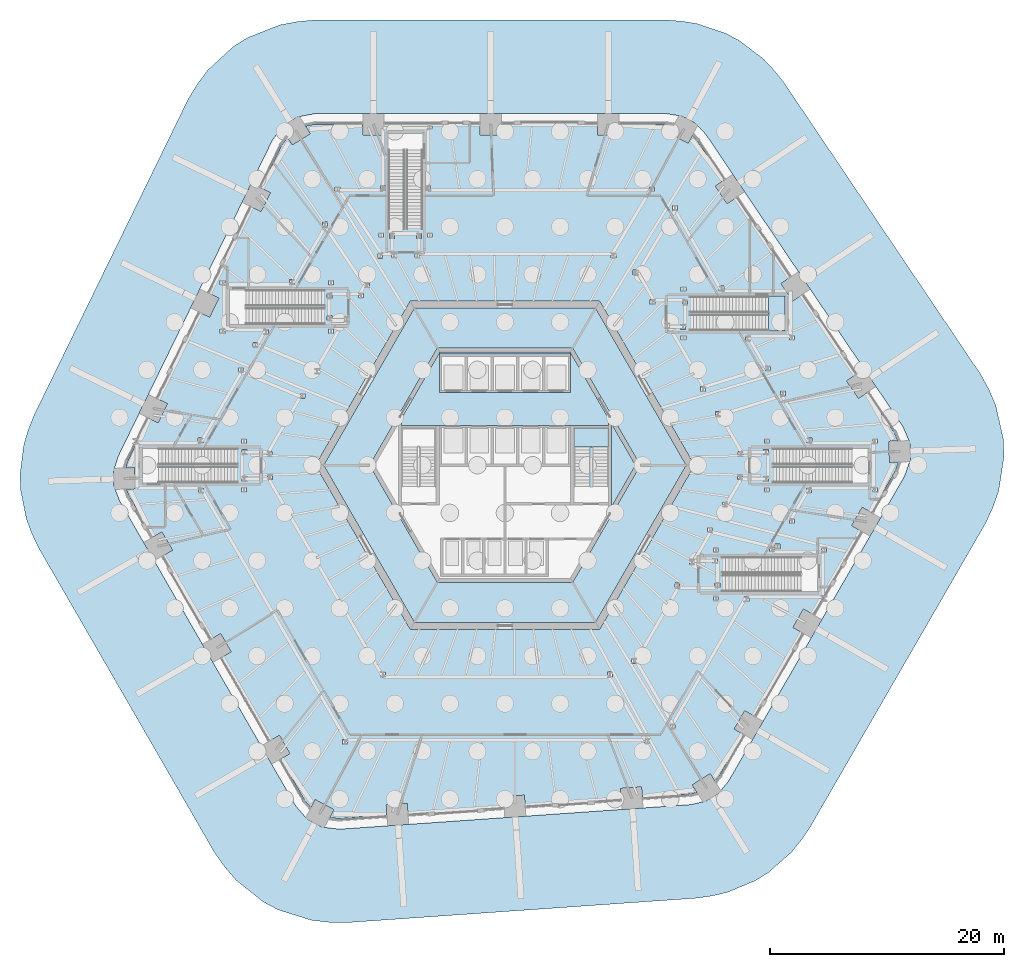
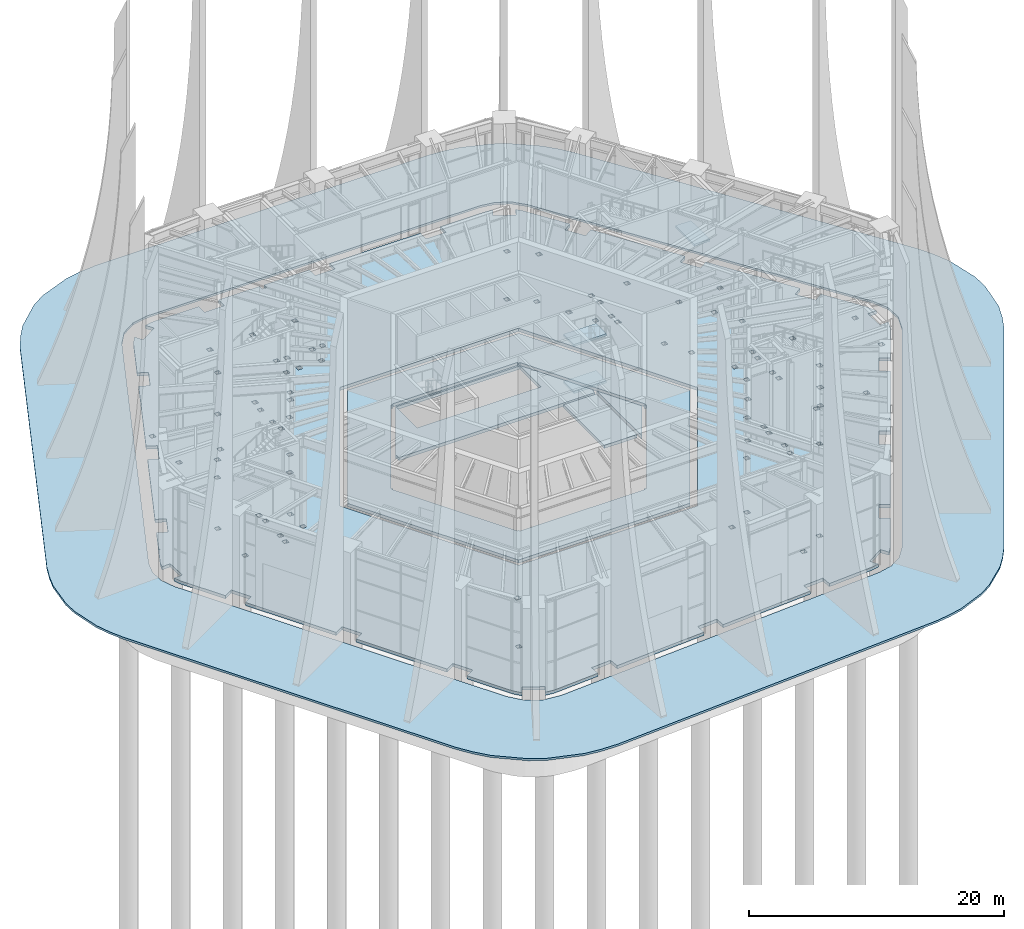
# One storey, part 22 of 43: 9 slabs, 2 elements without a shape of their own.
"""IFC4 building model written with IfcOpenShell, lengths in metres."""

from ifc_helpers import new_model, si_unit, direction, frame, origin, place, context, subcontext, project, spatial, polyline, outline, extrude, material, layer, layer_set, type_object, element, aggregate, save


model = new_model("IFC4")

# Units and contexts
model_context = context("Model", 3, precision=1e-05, world=origin(), true_north=direction((0.0, 1.0)))
body_context = subcontext(model_context, "Body", "Model", "MODEL_VIEW")
ifc_project = project(units=[si_unit("LENGTHUNIT", "METRE"), si_unit("AREAUNIT", "SQUARE_METRE"), si_unit("VOLUMEUNIT", "CUBIC_METRE"), si_unit("PLANEANGLEUNIT", "RADIAN"), si_unit("MASSUNIT", "GRAM", prefix="KILO")], contexts=[model_context])

# Site, building, storey
site_placement = place(None, origin())
site = spatial("IfcSite", under=ifc_project, at=site_placement, CompositionType="ELEMENT")
building_placement = place(site_placement, origin())
building = spatial("IfcBuilding", under=site, at=building_placement, Name="Tarnside Tower", CompositionType="ELEMENT")
storey_placement = place(building_placement, origin())
storey = spatial("IfcBuildingStorey", under=building, at=storey_placement, Name="L00", CompositionType="ELEMENT", Elevation=0.0)

# Slabs
ifc_material_1 = material(Name="Concrete C40/50", Category="concrete")
ifc_layer_1 = layer(ifc_material_1, 0.300048828125)
ifc_layer_set_1 = layer_set([ifc_layer_1], Name="Core ground slab C40/50")
slab_type_1 = type_object("IfcSlabType", Name="Core ground slab C40/50", PredefinedType="BASESLAB", material=ifc_layer_set_1)
slab_1_placement = place(storey_placement, frame((0.0, 0.0, -0.300048828125)))
element("IfcSlab", 1, at=slab_1_placement, inside=storey, type_object=slab_type_1, Name="L00 core floor slab 1", PredefinedType="BASESLAB", context=body_context, shape_type="SweptSolid", body=[
    extrude(outline(polyline([(-15.472900390625, 0.0), (-7.736572265625, 13.39990234375), (7.736572265625, 13.39990234375), (15.472900390625, 0.0), (7.736572265625, -13.39990234375), (-7.736572265625, -13.39990234375), (-15.472900390625, 0.0)]), holes=[polyline([(5.823974609375, -9.91259765625), (11.49658203125, -0.08740234375), (11.344970703125, 0.0), (11.49658203125, 0.08740234375), (5.823974609375, 9.91259765625), (5.672607421875, 9.824951171875), (5.672607421875, 10.0), (-5.672607421875, 10.0), (-5.672607421875, 9.824951171875), (-5.823974609375, 9.91259765625), (-11.49658203125, 0.08740234375), (-11.344970703125, 0.0), (-11.49658203125, -0.08740234375), (-5.823974609375, -9.91259765625), (-5.672607421875, -9.824951171875), (-5.672607421875, -10.0), (5.672607421875, -10.0), (5.672607421875, -9.824951171875), (5.823974609375, -9.91259765625)])]), origin(), (0.0, 0.0, 1.0), 0.300048828125),
])
slab_2_placement = place(storey_placement, frame((0.0, 0.0, -0.300048828125)))
element("IfcSlab", 2, at=slab_2_placement, inside=storey, type_object=slab_type_1, Name="L00 core floor slab 2", PredefinedType="BASESLAB", context=body_context, shape_type="SweptSolid", body=[
    extrude(outline(polyline([(-8.97509765625, 3.7548828125), (-5.5712890625, 9.64990234375), (5.5712890625, 9.64990234375), (8.97509765625, 3.7548828125), (8.85009765625, 3.7548828125), (8.85009765625, 3.39990234375), (5.89990234375, 3.39990234375), (5.60009765625, 3.39990234375), (5.60009765625, 3.39990234375), (-5.60009765625, 3.39990234375), (-5.89990234375, 3.39990234375), (-8.85009765625, 3.39990234375), (-8.85009765625, 3.7548828125), (-8.97509765625, 3.7548828125)]), holes=[polyline([(-5.60009765625, 6.199951171875), (5.60009765625, 6.199951171875), (5.60009765625, 6.39990234375), (5.60009765625, 9.300048828125), (5.60009765625, 9.5), (-5.60009765625, 9.5), (-5.60009765625, 9.300048828125), (-5.60009765625, 6.39990234375), (-5.60009765625, 6.199951171875)])]), origin(), (0.0, 0.0, 1.0), 0.300048828125),
])
slab_3_placement = place(storey_placement, frame((0.0, 0.0, -0.300048828125)))
element("IfcSlab", 3, at=slab_3_placement, inside=storey, type_object=slab_type_1, Name="L00 core floor slab 6", PredefinedType="BASESLAB", context=body_context, shape_type="SweptSolid", body=[
    extrude(outline(polyline([(5.89990234375, -3.199951171875), (5.89990234375, 3.199951171875), (8.85009765625, 3.199951171875), (8.85009765625, -3.199951171875), (5.89990234375, -3.199951171875)])), origin(), (0.0, 0.0, 1.0), 0.300048828125),
])
slab_4_placement = place(storey_placement, frame((0.0, 0.0, -0.300048828125)))
element("IfcSlab", 4, at=slab_4_placement, inside=storey, type_object=slab_type_1, Name="L00 core floor slab 7", PredefinedType="BASESLAB", context=body_context, shape_type="SweptSolid", body=[
    extrude(outline(polyline([(9.10009765625, -3.538330078125), (9.10009765625, 3.538330078125), (11.142822265625, 0.0), (9.10009765625, -3.538330078125)])), origin(), (0.0, 0.0, 1.0), 0.300048828125),
])
ifc_material_2 = material(Name="Concrete C35/45", Category="concrete")
ifc_layer_2 = layer(ifc_material_2, 0.300048828125)
ifc_layer_set_2 = layer_set([ifc_layer_2], Name="Ground slab 300")
slab_type_2 = type_object("IfcSlabType", Name="Ground slab 300", PredefinedType="BASESLAB", material=ifc_layer_set_2)
slab_5_placement = place(storey_placement, frame((0.0, 0.0, -0.300048828125)))
element("IfcSlab", 5, at=slab_5_placement, inside=storey, type_object=slab_type_2, Name="Floor slab L00", PredefinedType="BASESLAB", context=body_context, shape_type="SweptSolid", body=[
    extrude(outline(polyline([(-26.0185546875, 13.0361328125), (-25.209716796875, 12.6416015625), (-24.420654296875, 14.259521484375), (-25.2294921875, 14.654052734375), (-21.62451171875, 22.04541015625), (-20.8154296875, 21.65087890625), (-20.026611328125, 23.268798828125), (-20.83544921875, 23.663330078125), (-19.032958984375, 27.35888671875), (-18.556640625, 27.99853515625), (-18.147216796875, 27.343505859375), (-16.620849609375, 28.297119140625), (-17.0302734375, 28.952392578125), (-16.24658203125, 29.10009765625), (-12.134765625, 29.10009765625), (-12.134765625, 28.199951171875), (-10.334716796875, 28.199951171875), (-10.334716796875, 29.10009765625), (-6.62548828125, 29.10009765625), (-6.62548828125, 28.689208984375), (-6.21337890625, 28.689208984375), (-6.21337890625, 29.10009765625), (-2.111083984375, 29.10009765625), (-2.111083984375, 28.199951171875), (-0.31103515625, 28.199951171875), (-0.31103515625, 29.10009765625), (7.91259765625, 29.10009765625), (7.91259765625, 28.199951171875), (9.712646484375, 28.199951171875), (9.712646484375, 29.10009765625), (13.824462890625, 29.10009765625), (14.40283203125, 29.0048828125), (14.04345703125, 28.328857421875), (15.6328125, 27.483642578125), (15.9921875, 28.159912109375), (16.39453125, 27.7333984375), (18.69384765625, 24.32470703125), (17.947509765625, 23.8212890625), (18.9541015625, 22.3291015625), (19.7001953125, 22.83251953125), (24.298828125, 16.0146484375), (23.552734375, 15.51123046875), (24.559326171875, 14.01904296875), (25.305419921875, 14.522216796875), (29.904052734375, 7.70458984375), (29.157958984375, 7.201416015625), (30.16455078125, 5.708984375), (30.91064453125, 6.21240234375), (33.2099609375, 2.803466796875), (33.52587890625, 2.0712890625), (32.753662109375, 2.044189453125), (32.81640625, 0.245361328125), (33.588623046875, 0.2724609375), (33.32470703125, -0.47998046875), (31.268798828125, -4.041015625), (30.4892578125, -3.591064453125), (29.58935546875, -5.14990234375), (30.36865234375, -5.599853515625), (27.156005859375, -11.164306640625), (27.04931640625, -11.164306640625), (27.04931640625, -11.349365234375), (26.2568359375, -12.7216796875), (25.4775390625, -12.271728515625), (24.577392578125, -13.83056640625), (25.35693359375, -14.280517578125), (21.2451171875, -21.402587890625), (20.465576171875, -20.952392578125), (19.565673828125, -22.511474609375), (20.344970703125, -22.96142578125), (18.2890625, -26.522216796875), (17.91748046875, -26.9755859375), (17.51171875, -26.326416015625), (15.9853515625, -27.2802734375), (16.39111328125, -27.9296875), (15.82080078125, -28.064697265625), (11.718994140625, -28.3515625), (11.656005859375, -27.453857421875), (9.860595703125, -27.579345703125), (9.923095703125, -28.477294921875), (1.719482421875, -29.05078125), (1.65673828125, -28.153076171875), (-0.138916015625, -28.278564453125), (-0.075927734375, -29.176513671875), (-8.27978515625, -29.75), (-8.342529296875, -28.852294921875), (-10.13818359375, -28.977783203125), (-10.0751953125, -29.87548828125), (-14.177001953125, -30.162353515625), (-14.968994140625, -30.06982421875), (-14.6064453125, -29.3876953125), (-16.19580078125, -28.54248046875), (-16.558349609375, -29.224853515625), (-17.077880859375, -28.6201171875), (-19.134033203125, -25.05908203125), (-18.3544921875, -24.60888671875), (-19.25439453125, -23.05029296875), (-20.033935546875, -23.500244140625), (-24.145751953125, -16.378173828125), (-23.366455078125, -15.92822265625), (-24.266357421875, -14.369384765625), (-25.0458984375, -14.8193359375), (-29.15771484375, -7.697509765625), (-28.378173828125, -7.24755859375), (-29.2783203125, -5.688720703125), (-30.0576171875, -6.138671875), (-32.113525390625, -2.57763671875), (-32.3203125, -2.029296875), (-31.55517578125, -2.00244140625), (-31.617919921875, -0.20361328125), (-32.38330078125, -0.230224609375), (-32.215087890625, 0.331298828125), (-31.479736328125, 1.839111328125), (-31.339111328125, 1.839111328125), (-31.339111328125, 2.127197265625), (-30.41259765625, 4.027099609375), (-29.603759765625, 3.63232421875), (-28.814697265625, 5.250244140625), (-29.62353515625, 5.644775390625), (-26.0185546875, 13.0361328125)]), holes=[polyline([(-16.165771484375, 0.0), (-8.0830078125, -14.0), (8.0830078125, -14.0), (16.165771484375, 0.0), (8.0830078125, 14.0), (-8.0830078125, 14.0), (-16.165771484375, 0.0)]), polyline([(22.070068359375, 1.327392578125), (22.070068359375, 0.9150390625), (22.482421875, 0.9150390625), (22.482421875, 1.327392578125), (22.070068359375, 1.327392578125)]), polyline([(20.296630859375, 1.154052734375), (19.884521484375, 1.154052734375), (19.884521484375, 0.74169921875), (20.296630859375, 0.74169921875), (20.296630859375, 1.154052734375)]), polyline([(18.380126953125, 4.158203125), (18.380126953125, 4.5703125), (17.968017578125, 4.5703125), (17.968017578125, 4.158203125), (18.380126953125, 4.158203125)]), polyline([(23.52197265625, 5.915771484375), (23.93408203125, 5.915771484375), (23.93408203125, 6.327880859375), (23.52197265625, 6.327880859375), (23.52197265625, 5.915771484375)]), polyline([(25.77685546875, 2.309814453125), (25.77685546875, 1.897705078125), (26.189208984375, 1.897705078125), (26.189208984375, 2.309814453125), (25.77685546875, 2.309814453125)]), polyline([(31.801513671875, 2.25146484375), (31.38916015625, 2.25146484375), (31.38916015625, 1.839111328125), (31.801513671875, 1.839111328125), (31.801513671875, 2.25146484375)]), polyline([(31.801513671875, -2.301513671875), (31.801513671875, -1.88916015625), (31.38916015625, -1.88916015625), (31.38916015625, -2.301513671875), (31.801513671875, -2.301513671875)]), polyline([(25.748046875, -2.360107421875), (26.16015625, -2.360107421875), (26.16015625, -1.94775390625), (25.748046875, -1.94775390625), (25.748046875, -2.360107421875)]), polyline([(24.30322265625, -4.570068359375), (24.30322265625, -4.982421875), (24.71533203125, -4.982421875), (24.71533203125, -4.570068359375), (24.30322265625, -4.570068359375)]), polyline([(18.981689453125, -3.1259765625), (18.569580078125, -3.1259765625), (18.569580078125, -3.5380859375), (18.981689453125, -3.5380859375), (18.981689453125, -3.1259765625)]), polyline([(20.267822265625, -1.2041015625), (20.267822265625, -0.791748046875), (19.855712890625, -0.791748046875), (19.855712890625, -1.2041015625), (20.267822265625, -1.2041015625)]), polyline([(22.070068359375, -1.377197265625), (22.482421875, -1.377197265625), (22.482421875, -0.965087890625), (22.070068359375, -0.965087890625), (22.070068359375, -1.377197265625)]), polyline([(15.7509765625, -8.047607421875), (15.7509765625, -8.4599609375), (16.1630859375, -8.4599609375), (16.1630859375, -8.047607421875), (15.7509765625, -8.047607421875)]), polyline([(17.684814453125, -5.2919921875), (17.272705078125, -5.2919921875), (17.272705078125, -5.704345703125), (17.684814453125, -5.704345703125), (17.684814453125, -5.2919921875)]), polyline([(23.456787109375, -7.1484375), (23.456787109375, -6.736328125), (23.04443359375, -6.736328125), (23.04443359375, -7.1484375), (23.456787109375, -7.1484375)]), polyline([(22.582275390625, -7.377197265625), (22.994384765625, -7.377197265625), (22.994384765625, -6.965087890625), (22.582275390625, -6.965087890625), (22.582275390625, -7.377197265625)]), polyline([(27.04931640625, -7.023681640625), (27.04931640625, -7.435791015625), (27.46142578125, -7.435791015625), (27.46142578125, -7.023681640625), (27.04931640625, -7.023681640625)]), polyline([(20.805419921875, -11.635009765625), (20.805419921875, -11.22265625), (20.39306640625, -11.22265625), (20.39306640625, -11.635009765625), (20.805419921875, -11.635009765625)]), polyline([(14.1123046875, -22.513916015625), (14.5244140625, -22.513916015625), (14.5244140625, -22.1015625), (14.1123046875, -22.1015625), (14.1123046875, -22.513916015625)]), polyline([(10.7900390625, -16.493896484375), (10.7900390625, -16.906005859375), (11.2021484375, -16.906005859375), (11.2021484375, -16.493896484375), (10.7900390625, -16.493896484375)]), polyline([(14.912841796875, -10.06689453125), (14.500732421875, -10.06689453125), (14.500732421875, -10.47900390625), (14.912841796875, -10.47900390625), (14.912841796875, -10.06689453125)]), polyline([(18.34228515625, -10.452392578125), (18.34228515625, -10.0400390625), (17.93017578125, -10.0400390625), (17.93017578125, -10.452392578125), (18.34228515625, -10.452392578125)]), polyline([(17.72998046875, -8.360107421875), (18.142333984375, -8.360107421875), (18.142333984375, -7.94775390625), (17.72998046875, -7.94775390625), (17.72998046875, -8.360107421875)]), polyline([(12.393310546875, 14.12890625), (12.393310546875, 13.716796875), (12.8056640625, 13.716796875), (12.8056640625, 14.12890625), (12.393310546875, 14.12890625)]), polyline([(11.352783203125, 16.646728515625), (10.940673828125, 16.646728515625), (10.940673828125, 16.234619140625), (11.352783203125, 16.234619140625), (11.352783203125, 16.646728515625)]), polyline([(14.72314453125, 21.759765625), (14.72314453125, 22.171875), (14.310791015625, 22.171875), (14.310791015625, 21.759765625), (14.72314453125, 21.759765625)]), polyline([(18.285888671875, 14.872802734375), (18.697998046875, 14.872802734375), (18.697998046875, 15.284912109375), (18.285888671875, 15.284912109375), (18.285888671875, 14.872802734375)]), polyline([(24.29931640625, 11.085693359375), (24.29931640625, 10.673583984375), (24.71142578125, 10.673583984375), (24.71142578125, 11.085693359375), (24.29931640625, 11.085693359375)]), polyline([(20.92529296875, 11.02734375), (20.512939453125, 11.02734375), (20.512939453125, 10.614990234375), (20.92529296875, 10.614990234375), (20.92529296875, 11.02734375)]), polyline([(22.66748046875, 8.047119140625), (22.66748046875, 8.45947265625), (22.255126953125, 8.45947265625), (22.255126953125, 8.047119140625), (22.66748046875, 8.047119140625)]), polyline([(16.701171875, 6.289794921875), (17.11328125, 6.289794921875), (17.11328125, 6.701904296875), (16.701171875, 6.701904296875), (16.701171875, 6.289794921875)]), polyline([(13.6435546875, 12.10986328125), (13.6435546875, 11.69775390625), (14.055908203125, 11.69775390625), (14.055908203125, 12.10986328125), (13.6435546875, 12.10986328125)]), polyline([(15.392333984375, 12.010009765625), (14.97998046875, 12.010009765625), (14.97998046875, 11.59765625), (15.392333984375, 11.59765625), (15.392333984375, 12.010009765625)]), polyline([(15.59228515625, 13.690185546875), (15.59228515625, 14.102294921875), (15.179931640625, 14.102294921875), (15.179931640625, 13.690185546875), (15.59228515625, 13.690185546875)]), polyline([(-14.5048828125, 23.342529296875), (-14.0927734375, 23.342529296875), (-14.0927734375, 23.754638671875), (-14.5048828125, 23.754638671875), (-14.5048828125, 23.342529296875)]), polyline([(-10.624755859375, 23.85986328125), (-10.624755859375, 23.44775390625), (-10.21240234375, 23.44775390625), (-10.21240234375, 23.85986328125), (-10.624755859375, 23.85986328125)]), polyline([(-6.354736328125, 23.44775390625), (-6.354736328125, 23.85986328125), (-6.76708984375, 23.85986328125), (-6.76708984375, 23.44775390625), (-6.354736328125, 23.44775390625)]), polyline([(12.35498046875, 23.3466796875), (12.76708984375, 23.3466796875), (12.76708984375, 23.7587890625), (12.35498046875, 23.7587890625), (12.35498046875, 23.3466796875)]), polyline([(9.062744140625, 18.078369140625), (9.062744140625, 17.666259765625), (9.474853515625, 17.666259765625), (9.474853515625, 18.078369140625), (9.062744140625, 18.078369140625)]), polyline([(-7.27880859375, 18.11083984375), (-7.691162109375, 18.11083984375), (-7.691162109375, 17.698486328125), (-7.27880859375, 17.698486328125), (-7.27880859375, 18.11083984375)]), polyline([(-7.137451171875, 19.3701171875), (-7.137451171875, 19.7822265625), (-7.5498046875, 19.7822265625), (-7.5498046875, 19.3701171875), (-7.137451171875, 19.3701171875)]), polyline([(-9.842041015625, 19.3701171875), (-9.4296875, 19.3701171875), (-9.4296875, 19.7822265625), (-9.842041015625, 19.7822265625), (-9.842041015625, 19.3701171875)]), polyline([(-9.70068359375, 18.11083984375), (-9.70068359375, 17.698486328125), (-9.288330078125, 17.698486328125), (-9.288330078125, 18.11083984375), (-9.70068359375, 18.11083984375)]), polyline([(-10.43994140625, 18.076171875), (-10.852294921875, 18.076171875), (-10.852294921875, 17.663818359375), (-10.43994140625, 17.663818359375), (-10.43994140625, 18.076171875)]), polyline([(12.365966796875, -23.760009765625), (12.365966796875, -23.34765625), (11.953857421875, -23.34765625), (11.953857421875, -23.760009765625), (12.365966796875, -23.760009765625)]), polyline([(-13.84716796875, -23.833251953125), (-13.43505859375, -23.833251953125), (-13.43505859375, -23.4208984375), (-13.84716796875, -23.4208984375), (-13.84716796875, -23.833251953125)]), polyline([(-26.16015625, -1.94775390625), (-26.16015625, -2.360107421875), (-25.748046875, -2.360107421875), (-25.748046875, -1.94775390625), (-26.16015625, -1.94775390625)]), polyline([(-25.77685546875, 1.897705078125), (-25.77685546875, 2.309814453125), (-26.189208984375, 2.309814453125), (-26.189208984375, 1.897705078125), (-25.77685546875, 1.897705078125)]), polyline([(-22.751953125, 7.951171875), (-22.33984375, 7.951171875), (-22.33984375, 8.36328125), (-22.751953125, 8.36328125), (-22.751953125, 7.951171875)]), polyline([(-17.471435546875, 6.129638671875), (-17.471435546875, 5.717529296875), (-17.05908203125, 5.717529296875), (-17.05908203125, 6.129638671875), (-17.471435546875, 6.129638671875)]), polyline([(-19.884521484375, 1.154052734375), (-20.296630859375, 1.154052734375), (-20.296630859375, 0.74169921875), (-19.884521484375, 0.74169921875), (-19.884521484375, 1.154052734375)]), polyline([(-22.02001953125, 0.9150390625), (-22.02001953125, 1.327392578125), (-22.432373046875, 1.327392578125), (-22.432373046875, 0.9150390625), (-22.02001953125, 0.9150390625)]), polyline([(-22.432373046875, -1.377197265625), (-22.02001953125, -1.377197265625), (-22.02001953125, -0.965087890625), (-22.432373046875, -0.965087890625), (-22.432373046875, -1.377197265625)]), polyline([(-20.267822265625, -0.791748046875), (-20.267822265625, -1.2041015625), (-19.855712890625, -1.2041015625), (-19.855712890625, -0.791748046875), (-20.267822265625, -0.791748046875)]), polyline([(-10.212890625, -17.639892578125), (-10.625, -17.639892578125), (-10.625, -18.05224609375), (-10.212890625, -18.05224609375), (-10.212890625, -17.639892578125)]), polyline([(9.170654296875, -18.0791015625), (9.170654296875, -17.666748046875), (8.75830078125, -17.666748046875), (8.75830078125, -18.0791015625), (9.170654296875, -18.0791015625)]), polyline([(-16.239990234375, 7.814453125), (-15.827880859375, 7.814453125), (-15.827880859375, 8.226806640625), (-16.239990234375, 8.226806640625), (-16.239990234375, 7.814453125)]), polyline([(-21.5205078125, 10.46044921875), (-21.5205078125, 10.048095703125), (-21.1083984375, 10.048095703125), (-21.1083984375, 10.46044921875), (-21.5205078125, 10.46044921875)]), polyline([(-20.195556640625, 11.577392578125), (-20.607666015625, 11.577392578125), (-20.607666015625, 11.1650390625), (-20.195556640625, 11.1650390625), (-20.195556640625, 11.577392578125)]), polyline([(-23.899169921875, 11.2236328125), (-23.899169921875, 11.6357421875), (-24.311279296875, 11.6357421875), (-24.311279296875, 11.2236328125), (-23.899169921875, 11.2236328125)]), polyline([(-24.311279296875, 15.3642578125), (-23.899169921875, 15.3642578125), (-23.899169921875, 15.7763671875), (-24.311279296875, 15.7763671875), (-24.311279296875, 15.3642578125)]), polyline([(-18.38037109375, 15.8349609375), (-18.38037109375, 15.422607421875), (-17.96826171875, 15.422607421875), (-17.96826171875, 15.8349609375), (-18.38037109375, 15.8349609375)]), polyline([(-15.141845703125, 20.742431640625), (-15.553955078125, 20.742431640625), (-15.553955078125, 20.330322265625), (-15.141845703125, 20.330322265625), (-15.141845703125, 20.742431640625)]), polyline([(-11.570556640625, 15.1494140625), (-11.570556640625, 15.5615234375), (-11.982666015625, 15.5615234375), (-11.982666015625, 15.1494140625), (-11.570556640625, 15.1494140625)]), polyline([(-12.488037109375, 14.266845703125), (-12.07568359375, 14.266845703125), (-12.07568359375, 14.678955078125), (-12.488037109375, 14.678955078125), (-12.488037109375, 14.266845703125)]), polyline([(-15.1923828125, 14.65234375), (-15.1923828125, 14.239990234375), (-14.780029296875, 14.239990234375), (-14.780029296875, 14.65234375), (-15.1923828125, 14.65234375)]), polyline([(-14.780029296875, 12.760009765625), (-15.1923828125, 12.760009765625), (-15.1923828125, 12.34765625), (-14.780029296875, 12.34765625), (-14.780029296875, 12.760009765625)]), polyline([(-13.326171875, 12.247802734375), (-13.326171875, 12.659912109375), (-13.73828125, 12.659912109375), (-13.73828125, 12.247802734375), (-13.326171875, 12.247802734375)]), polyline([(-6.62548828125, 19.4287109375), (-6.21337890625, 19.4287109375), (-6.21337890625, 19.8408203125), (-6.62548828125, 19.8408203125), (-6.62548828125, 19.4287109375)]), polyline([(-10.76611328125, 19.8408203125), (-10.76611328125, 19.4287109375), (-10.35400390625, 19.4287109375), (-10.35400390625, 19.8408203125), (-10.76611328125, 19.8408203125)]), polyline([(-22.07861328125, 2.25146484375), (-22.49072265625, 2.25146484375), (-22.49072265625, 1.839111328125), (-22.07861328125, 1.839111328125), (-22.07861328125, 2.25146484375)]), polyline([(-22.07861328125, -2.301513671875), (-22.07861328125, -1.88916015625), (-22.49072265625, -1.88916015625), (-22.49072265625, -2.301513671875), (-22.07861328125, -2.301513671875)]), polyline([(22.128662109375, -2.301513671875), (22.540771484375, -2.301513671875), (22.540771484375, -1.88916015625), (22.128662109375, -1.88916015625), (22.128662109375, -2.301513671875)]), polyline([(22.128662109375, 2.25146484375), (22.128662109375, 1.839111328125), (22.540771484375, 1.839111328125), (22.540771484375, 2.25146484375), (22.128662109375, 2.25146484375)]), polyline([(15.45068359375, 11.085693359375), (15.03857421875, 11.085693359375), (15.03857421875, 10.673583984375), (15.45068359375, 10.673583984375), (15.45068359375, 11.085693359375)]), polyline([(15.45068359375, 14.814208984375), (15.45068359375, 15.226318359375), (15.03857421875, 15.226318359375), (15.03857421875, 14.814208984375), (15.45068359375, 14.814208984375)]), polyline([(17.78857421875, -11.576416015625), (18.20068359375, -11.576416015625), (18.20068359375, -11.164306640625), (17.78857421875, -11.164306640625), (17.78857421875, -11.576416015625)]), polyline([(17.78857421875, -7.023681640625), (17.78857421875, -7.435791015625), (18.20068359375, -7.435791015625), (18.20068359375, -7.023681640625), (17.78857421875, -7.023681640625)]), polyline([(-14.638671875, 15.7763671875), (-15.05078125, 15.7763671875), (-15.05078125, 15.3642578125), (-14.638671875, 15.3642578125), (-14.638671875, 15.7763671875)]), polyline([(-14.638671875, 11.2236328125), (-14.638671875, 11.6357421875), (-15.05078125, 11.6357421875), (-15.05078125, 11.2236328125), (-14.638671875, 11.2236328125)])]), origin(), (0.0, 0.0, 1.0), 0.300048828125),
])
ifc_material_3 = material(Name="Granite paving", Category="masonry")
ifc_layer_3 = layer(ifc_material_3, 0.199951171875)
ifc_layer_set_3 = layer_set([ifc_layer_3], Name="Plaza paving 200")
slab_type_3 = type_object("IfcSlabType", Name="Plaza paving 200", PredefinedType="USERDEFINED", material=ifc_layer_set_3)
slab_6_placement = place(storey_placement, frame((0.0, 0.0, -0.199951171875)))
element("IfcSlab", 6, at=slab_6_placement, inside=storey, type_object=slab_type_3, Name="Plaza paving", ObjectType="Paving", PredefinedType="USERDEFINED", context=body_context, shape_type="SweptSolid", body=[
    extrude(outline(polyline([(15.121826171875, 37.89404296875), (16.402099609375, 37.68359375), (18.8603515625, 36.853271484375), (20.006103515625, 36.244140625), (22.0693359375, 34.67041015625), (22.95947265625, 33.726806640625), (23.77294921875, 32.710205078125), (40.58837890625, 7.7802734375), (41.3017578125, 6.475341796875), (41.888427734375, 5.11572265625), (42.537841796875, 2.226318359375), (42.58935546875, 0.746337890625), (42.14306640625, -2.181396484375), (41.65283203125, -3.57861328125), (41.0322265625, -4.929931640625), (25.996826171875, -30.972412109375), (25.25634765625, -32.04296875), (24.43408203125, -33.04638671875), (22.485595703125, -34.76025390625), (21.38525390625, -35.44775390625), (18.99072265625, -36.44775390625), (17.728271484375, -36.746826171875), (16.44140625, -36.943115234375), (-13.556396484375, -39.040771484375), (-15.04296875, -39.006103515625), (-16.513916015625, -38.834228515625), (-19.3408203125, -37.951904296875), (-20.648193359375, -37.2568359375), (-22.960693359375, -35.406494140625), (-23.925537109375, -34.283203125), (-24.78564453125, -33.070068359375), (-39.8212890625, -7.027587890625), (-40.378173828125, -5.85107421875), (-40.836181640625, -4.63720703125), (-41.345947265625, -2.093017578125), (-41.391357421875, -0.79638671875), (-41.06005859375, 1.77734375), (-40.68798828125, 3.020263671875), (-40.21435546875, 4.232666015625), (-27.0322265625, 31.260498046875), (-26.2587890625, 32.53076171875), (-25.37451171875, 33.718505859375), (-23.19677734375, 35.7255859375), (-21.941162109375, 36.51025390625), (-19.1826171875, 37.587646484375), (-17.727294921875, 37.86181640625), (-16.24658203125, 38.0), (13.824462890625, 38.0), (15.121826171875, 37.89404296875)]), holes=[polyline([(13.824462890625, 30.0), (-16.24658203125, 30.0), (-17.70166015625, 29.725830078125), (-18.95751953125, 28.941162109375), (-19.841796875, 27.75341796875), (-33.024169921875, 0.725830078125), (-33.396240234375, -0.51708984375), (-33.350830078125, -1.813720703125), (-32.89306640625, -3.027587890625), (-17.857421875, -29.070068359375), (-16.892578125, -30.193115234375), (-15.5849609375, -30.888427734375), (-14.1142578125, -31.060302734375), (15.883544921875, -28.962646484375), (17.14599609375, -28.663330078125), (18.24609375, -27.975830078125), (19.068603515625, -26.972412109375), (34.10400390625, -0.929931640625), (34.59423828125, 0.46728515625), (34.542724609375, 1.947021484375), (33.9560546875, 3.306640625), (17.140625, 28.23681640625), (16.250244140625, 29.180419921875), (15.104736328125, 29.78955078125), (13.824462890625, 30.0)])]), origin(), (0.0, 0.0, 1.0), 0.199951171875),
])

# Stair, slab
stair_type_1 = type_object("IfcStairType", Name="Podium exit stair 1400 clear", PredefinedType="HALF_TURN_STAIR", material=ifc_material_1)
stair_1_placement = place(storey_placement, origin())
stair_1 = element("IfcStair", 7, at=stair_1_placement, inside=storey, type_object=stair_type_1, Name="L00 Podium exit stair 4", PredefinedType="HALF_TURN_STAIR")
ifc_layer_4 = layer(ifc_material_1, 0.199951171875)
ifc_layer_set_4 = layer_set([ifc_layer_4], Name="Podium stair landing 200 C40/50")
slab_type_4 = type_object("IfcSlabType", Name="Podium stair landing 200 C40/50", PredefinedType="LANDING", material=ifc_layer_set_4)
slab_7_placement = place(storey_placement, frame((0.0, 0.0, 4.300048828125)))
slab_7 = element("IfcSlab", 8, at=slab_7_placement, type_object=slab_type_4, Name="PS4 landing 1", PredefinedType="LANDING", context=body_context, shape_type="SweptSolid", body=[
    extrude(outline(polyline([(22.510009765625, 11.47509765625), (23.909912109375, 11.47509765625), (23.909912109375, 14.425048828125), (22.510009765625, 14.425048828125), (22.510009765625, 11.47509765625)])), origin(), (0.0, 0.0, 1.0), 0.199951171875),
])
aggregate(stair_1, [slab_7])

# Stair, slabs
stair_type_2 = type_object("IfcStairType", Name="Exit stair 1400 clear", PredefinedType="HALF_TURN_STAIR", material=ifc_material_1)
stair_2_placement = place(storey_placement, origin())
stair_2 = element("IfcStair", 9, at=stair_2_placement, inside=storey, type_object=stair_type_2, Name="L00 Exit stair 1", PredefinedType="HALF_TURN_STAIR")
ifc_layer_5 = layer(ifc_material_1, 0.199951171875)
ifc_layer_set_5 = layer_set([ifc_layer_5], Name="Stair landing 200 C40/50")
slab_type_5 = type_object("IfcSlabType", Name="Stair landing 200 C40/50", PredefinedType="LANDING", material=ifc_layer_set_5)
slab_8_placement = place(storey_placement, frame((0.0, 0.0, 2.050048828125)))
slab_8 = element("IfcSlab", 10, at=slab_8_placement, type_object=slab_type_5, Name="ST1 landing 1", PredefinedType="LANDING", context=body_context, shape_type="SweptSolid", body=[
    extrude(outline(polyline([(8.85009765625, 1.56005859375), (8.85009765625, 3.199951171875), (5.89990234375, 3.199951171875), (5.89990234375, 1.56005859375), (8.85009765625, 1.56005859375)])), origin(), (0.0, 0.0, 1.0), 0.199951171875),
])
slab_9_placement = place(storey_placement, frame((0.0, 0.0, 6.550048828125)))
slab_9 = element("IfcSlab", 11, at=slab_9_placement, type_object=slab_type_5, Name="ST1 landing 3", PredefinedType="LANDING", context=body_context, shape_type="SweptSolid", body=[
    extrude(outline(polyline([(8.85009765625, 1.56005859375), (8.85009765625, 3.199951171875), (5.89990234375, 3.199951171875), (5.89990234375, 1.56005859375), (8.85009765625, 1.56005859375)])), origin(), (0.0, 0.0, 1.0), 0.199951171875),
])
aggregate(stair_2, [slab_8, slab_9])

save(model, "model.ifc")
